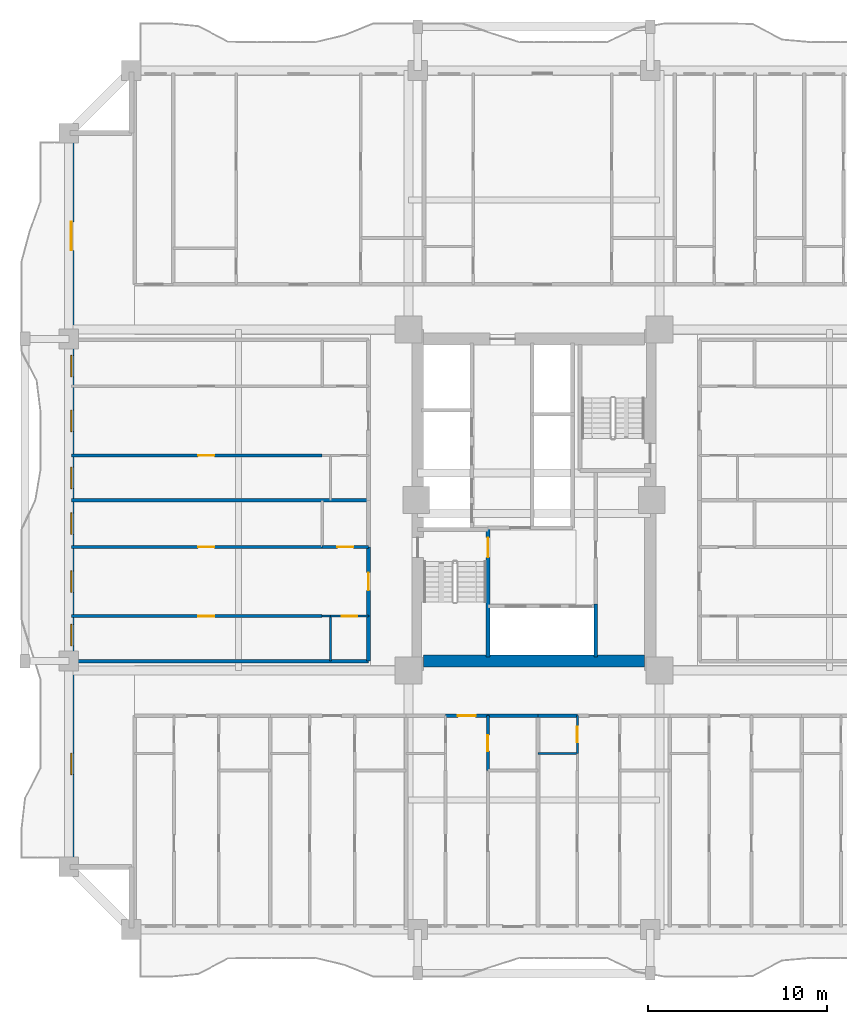
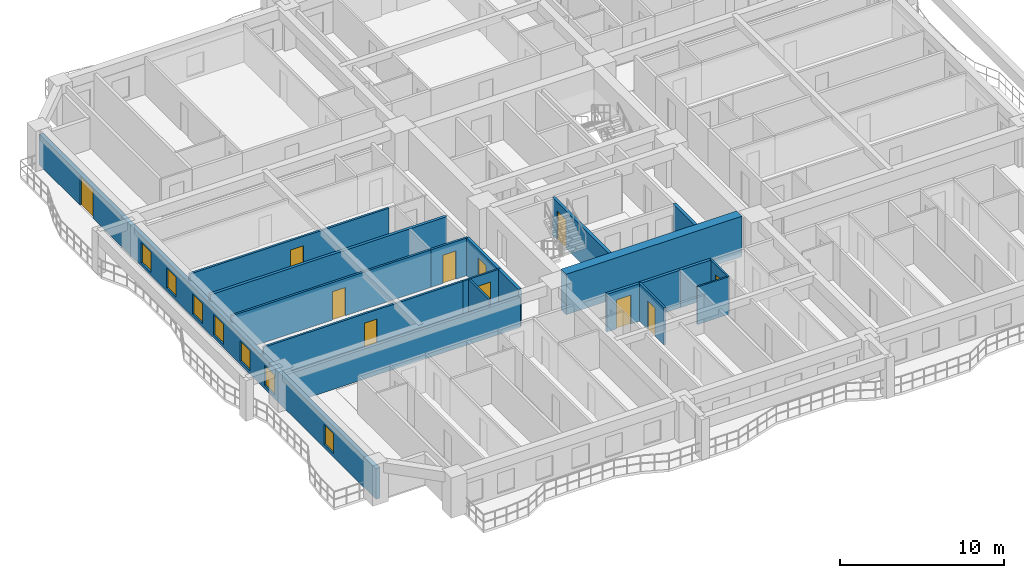
# One storey, part 4 of 17: 21 walls, 11 doors, 7 windows, 18 openings.
"""IFC4 building model written with IfcOpenShell, lengths in metres."""

from ifc_helpers import new_model, si_unit, direction, frame, frame_2d, origin, place, context, subcontext, project, spatial, rectangle, extrude, source, transform, mapped, material, layer, layer_set, type_object, element, fill, save


model = new_model("IFC4")

# Units and contexts
model_context = context("Model", 3, precision=1e-05, world=origin(), true_north=direction((0.0, 1.0)))
body_context = subcontext(model_context, "Body", "Model", "MODEL_VIEW")
ifc_project = project(units=[si_unit("LENGTHUNIT", "METRE"), si_unit("AREAUNIT", "SQUARE_METRE"), si_unit("VOLUMEUNIT", "CUBIC_METRE"), si_unit("PLANEANGLEUNIT", "RADIAN"), si_unit("MASSUNIT", "GRAM", prefix="KILO")], contexts=[model_context])

# Site, building, storey
site_placement = place(None, origin())
site = spatial("IfcSite", under=ifc_project, at=site_placement, CompositionType="ELEMENT")
building_placement = place(site_placement, origin())
building = spatial("IfcBuilding", under=site, at=building_placement, Name="Saelheon Loggia Tower", CompositionType="ELEMENT")
storey_placement = place(building_placement, frame((0.0, 0.0, 22.39990234375)))
storey = spatial("IfcBuildingStorey", under=building, at=storey_placement, Name="L06", CompositionType="ELEMENT", Elevation=22.39990234375)

# Wall
ifc_material_1 = material(Name="Concrete C60/75", Category="concrete")
ifc_layer_1 = layer(ifc_material_1, 0.64990234375)
ifc_layer_set_1 = layer_set([ifc_layer_1], Name="Concrete C60/75")
wall_type_1 = type_object("IfcWallType", Name="Wall_CoreShear_650", PredefinedType="SHEAR", material=ifc_layer_set_1)
wall_1_placement = place(storey_placement, frame((31.824951171875, 18.0, 0.0), z_axis=(0.0, 0.0, 1.0), x_axis=(1.0, 0.0, 0.0)))
element("IfcWall", 1, at=wall_1_placement, inside=storey, type_object=wall_type_1, Name="L06 Core Shear Wall South", PredefinedType="SHEAR", context=body_context, shape_type="SweptSolid", body=[
    extrude(rectangle(XDim=12.35009765625, YDim=0.64990234375, at=frame_2d((6.175048828125, 0.0))), origin(), (0.0, 0.0, 1.0), 3.0),
])

# Wall, openings, windows, door
ifc_material_2 = material(Name="Architectural Precast Concrete C40/50", Category="concrete")
ifc_layer_2 = layer(ifc_material_2, 0.280029296875)
ifc_layer_set_2 = layer_set([ifc_layer_2], Name="Architectural Precast Concrete C40/50")
wall_type_2 = type_object("IfcWallType", Name="Wall_Ext_Loggia_280", PredefinedType="SOLIDWALL", material=ifc_layer_set_2)
wall_2_placement = place(storey_placement, frame((12.139892578125, 6.5, 0.0), z_axis=(0.0, 0.0, 1.0), x_axis=(0.0, 1.0, 0.0)))
wall_2 = element("IfcWall", 2, at=wall_2_placement, inside=storey, type_object=wall_type_2, Name="L06 West Loggia Inner Wall", PredefinedType="SOLIDWALL", context=body_context, shape_type="SweptSolid", body=[
    extrude(rectangle(XDim=41.0, YDim=0.280029296875, at=frame_2d((20.5, 0.0))), origin(), (0.0, 0.0, 1.0), 2.280029296875),
])
opening_1_placement = place(wall_2_placement, frame((5.14990234375, 0.0, 0.25)))
opening_1 = element("IfcOpeningElement", 3, at=opening_1_placement, cuts=wall_2, Name="Opening WN-03", PredefinedType="OPENING", context=body_context, shape_type="SweptSolid", body=[
    extrude(rectangle(XDim=1.199951171875, YDim=1.5, at=frame_2d((0.60009765625, 0.75))), frame((0.0, 0.152099609375, 0.0), z_axis=(0.0, -1.0, 0.0), x_axis=(1.0, 0.0, 0.0)), (0.0, 0.0, 1.0), 0.303955078125),
])
opening_2_placement = place(wall_2_placement, frame((12.3515625, 0.0, 0.25)))
opening_2 = element("IfcOpeningElement", 4, at=opening_2_placement, cuts=wall_2, Name="Opening WN-03", PredefinedType="OPENING", context=body_context, shape_type="SweptSolid", body=[
    extrude(rectangle(XDim=1.199951171875, YDim=1.5, at=frame_2d((0.60009765625, 0.75))), frame((0.0, 0.152099609375, 0.0), z_axis=(0.0, -1.0, 0.0), x_axis=(1.0, 0.0, 0.0)), (0.0, 0.0, 1.0), 0.303955078125),
])
opening_3_placement = place(wall_2_placement, frame((15.343994140625, 0.0, 0.25)))
opening_3 = element("IfcOpeningElement", 5, at=opening_3_placement, cuts=wall_2, Name="Opening WN-03", PredefinedType="OPENING", context=body_context, shape_type="SweptSolid", body=[
    extrude(rectangle(XDim=1.199951171875, YDim=1.5, at=frame_2d((0.60009765625, 0.75))), frame((0.0, 0.152099609375, 0.0), z_axis=(0.0, -1.0, 0.0), x_axis=(1.0, 0.0, 0.0)), (0.0, 0.0, 1.0), 0.303955078125),
])
opening_4_placement = place(wall_2_placement, frame((18.574951171875, 0.0, 0.25)))
opening_4 = element("IfcOpeningElement", 6, at=opening_4_placement, cuts=wall_2, Name="Opening WN-03", PredefinedType="OPENING", context=body_context, shape_type="SweptSolid", body=[
    extrude(rectangle(XDim=1.199951171875, YDim=1.5, at=frame_2d((0.60009765625, 0.75))), frame((0.0, 0.152099609375, 0.0), z_axis=(0.0, -1.0, 0.0), x_axis=(1.0, 0.0, 0.0)), (0.0, 0.0, 1.0), 0.303955078125),
])
opening_5_placement = place(wall_2_placement, frame((21.131591796875, 0.0, 0.25)))
opening_5 = element("IfcOpeningElement", 7, at=opening_5_placement, cuts=wall_2, Name="Opening WN-03", PredefinedType="OPENING", context=body_context, shape_type="SweptSolid", body=[
    extrude(rectangle(XDim=1.199951171875, YDim=1.5, at=frame_2d((0.60009765625, 0.75))), frame((0.0, 0.152099609375, 0.0), z_axis=(0.0, -1.0, 0.0), x_axis=(1.0, 0.0, 0.0)), (0.0, 0.0, 1.0), 0.303955078125),
])
opening_6_placement = place(wall_2_placement, frame((24.319091796875, 0.0, 0.25)))
opening_6 = element("IfcOpeningElement", 8, at=opening_6_placement, cuts=wall_2, Name="Opening WN-03", PredefinedType="OPENING", context=body_context, shape_type="SweptSolid", body=[
    extrude(rectangle(XDim=1.199951171875, YDim=1.5, at=frame_2d((0.60009765625, 0.75))), frame((0.0, 0.152099609375, 0.0), z_axis=(0.0, -1.0, 0.0), x_axis=(1.0, 0.0, 0.0)), (0.0, 0.0, 1.0), 0.303955078125),
])
opening_7_placement = place(wall_2_placement, frame((27.3798828125, 0.0, 0.25)))
opening_7 = element("IfcOpeningElement", 9, at=opening_7_placement, cuts=wall_2, Name="Opening WN-03", PredefinedType="OPENING", context=body_context, shape_type="SweptSolid", body=[
    extrude(rectangle(XDim=1.199951171875, YDim=1.5, at=frame_2d((0.60009765625, 0.75))), frame((0.0, 0.152099609375, 0.0), z_axis=(0.0, -1.0, 0.0), x_axis=(1.0, 0.0, 0.0)), (0.0, 0.0, 1.0), 0.303955078125),
])
opening_8_placement = place(wall_2_placement, frame((34.449951171875, 0.0, 0.0)))
opening_8 = element("IfcOpeningElement", 10, at=opening_8_placement, cuts=wall_2, Name="Opening DLG-1", PredefinedType="OPENING", context=body_context, shape_type="SweptSolid", body=[
    extrude(rectangle(XDim=1.60009765625, YDim=2.14990234375, at=frame_2d((0.800048828125, 1.074951171875))), frame((0.0, 0.152099609375, 0.0), z_axis=(0.0, -1.0, 0.0), x_axis=(1.0, 0.0, 0.0)), (0.0, 0.0, 1.0), 0.303955078125),
])
ifc_material_3 = material(Name="Thermal-Break Aluminium and Triple Low-E Glass", Category="aluminium")
window_type = type_object("IfcWindowType", Name="Win_Bedroom_1200x1500", PartitioningType="SINGLE_PANEL", PredefinedType="WINDOW", material=ifc_material_3)
shared_shape_1 = source(origin(), body_context, "Body", "SweptSolid", [
    extrude(rectangle(XDim=1.199951171875, YDim=1.5, at=frame_2d((0.60009765625, 0.75))), frame((0.0, 0.030029296875, 0.0), z_axis=(0.0, -1.0, 0.0), x_axis=(1.0, 0.0, 0.0)), (0.0, 0.0, 1.0), 0.06005859375),
])
window_1_placement = place(opening_1_placement, origin())
window_1 = element("IfcWindow", 11, at=window_1_placement, inside=storey, type_object=window_type, Name="L06 W Dwelling Window 1", OverallHeight=1.5, OverallWidth=1.199951171875, PartitioningType="SINGLE_PANEL", PredefinedType="WINDOW", context=body_context, shape_type="MappedRepresentation", body=[
    mapped(shared_shape_1, transform((0.0, 0.0, 0.0), scale=1.0)),
])
fill(opening_1, window_1)
window_2_placement = place(opening_2_placement, origin())
window_2 = element("IfcWindow", 12, at=window_2_placement, inside=storey, type_object=window_type, Name="L06 W Dwelling Window 2", OverallHeight=1.5, OverallWidth=1.199951171875, PartitioningType="SINGLE_PANEL", PredefinedType="WINDOW", context=body_context, shape_type="MappedRepresentation", body=[
    mapped(shared_shape_1, transform((0.0, 0.0, 0.0), scale=1.0)),
])
fill(opening_2, window_2)
window_3_placement = place(opening_3_placement, origin())
window_3 = element("IfcWindow", 13, at=window_3_placement, inside=storey, type_object=window_type, Name="L06 W Dwelling Window 3", OverallHeight=1.5, OverallWidth=1.199951171875, PartitioningType="SINGLE_PANEL", PredefinedType="WINDOW", context=body_context, shape_type="MappedRepresentation", body=[
    mapped(shared_shape_1, transform((0.0, 0.0, 0.0), scale=1.0)),
])
fill(opening_3, window_3)
window_4_placement = place(opening_4_placement, origin())
window_4 = element("IfcWindow", 14, at=window_4_placement, inside=storey, type_object=window_type, Name="L06 W Dwelling Window 4", OverallHeight=1.5, OverallWidth=1.199951171875, PartitioningType="SINGLE_PANEL", PredefinedType="WINDOW", context=body_context, shape_type="MappedRepresentation", body=[
    mapped(shared_shape_1, transform((0.0, 0.0, 0.0), scale=1.0)),
])
fill(opening_4, window_4)
window_5_placement = place(opening_5_placement, origin())
window_5 = element("IfcWindow", 15, at=window_5_placement, inside=storey, type_object=window_type, Name="L06 W Dwelling Window 5", OverallHeight=1.5, OverallWidth=1.199951171875, PartitioningType="SINGLE_PANEL", PredefinedType="WINDOW", context=body_context, shape_type="MappedRepresentation", body=[
    mapped(shared_shape_1, transform((0.0, 0.0, 0.0), scale=1.0)),
])
fill(opening_5, window_5)
window_6_placement = place(opening_6_placement, origin())
window_6 = element("IfcWindow", 16, at=window_6_placement, inside=storey, type_object=window_type, Name="L06 W Dwelling Window 6", OverallHeight=1.5, OverallWidth=1.199951171875, PartitioningType="SINGLE_PANEL", PredefinedType="WINDOW", context=body_context, shape_type="MappedRepresentation", body=[
    mapped(shared_shape_1, transform((0.0, 0.0, 0.0), scale=1.0)),
])
fill(opening_6, window_6)
window_7_placement = place(opening_7_placement, origin())
window_7 = element("IfcWindow", 17, at=window_7_placement, inside=storey, type_object=window_type, Name="L06 W Dwelling Window 7", OverallHeight=1.5, OverallWidth=1.199951171875, PartitioningType="SINGLE_PANEL", PredefinedType="WINDOW", context=body_context, shape_type="MappedRepresentation", body=[
    mapped(shared_shape_1, transform((0.0, 0.0, 0.0), scale=1.0)),
])
fill(opening_7, window_7)
ifc_material_4 = material(Name="Thermal-Break Aluminium Sliding Glazed Door", Category="aluminium")
door_type_1 = type_object("IfcDoorType", Name="Door_LoggiaSlide_1600", OperationType="SLIDING_TO_LEFT", PredefinedType="DOOR", material=ifc_material_4)
shared_shape_2 = source(origin(), body_context, "Body", "SweptSolid", [
    extrude(rectangle(XDim=1.60009765625, YDim=2.14990234375, at=frame_2d((0.800048828125, 1.074951171875))), frame((0.0, 0.02490234375, 0.0), z_axis=(0.0, -1.0, 0.0), x_axis=(1.0, 0.0, 0.0)), (0.0, 0.0, 1.0), 0.050048828125),
])
door_1_placement = place(opening_8_placement, origin())
door_1 = element("IfcDoor", 18, at=door_1_placement, inside=storey, type_object=door_type_1, Name="L06 W Loggia Access Door", OperationType="SLIDING_TO_LEFT", OverallHeight=2.14990234375, OverallWidth=1.60009765625, PredefinedType="DOOR", context=body_context, shape_type="MappedRepresentation", body=[
    mapped(shared_shape_2, transform((0.0, 0.0, 0.0), scale=1.0)),
])
fill(opening_8, door_1)

# Wall, opening, door
ifc_material_5 = material(Name="Lightweight Autoclaved Aerated Concrete Block and Acoustic Gypsum", Category="concrete")
ifc_layer_3 = layer(ifc_material_5, 0.14990234375)
ifc_layer_set_3 = layer_set([ifc_layer_3], Name="Lightweight Autoclaved Aerated Concrete Block and Acoustic Gypsum")
wall_type_3 = type_object("IfcWallType", Name="Wall_Part_150", PredefinedType="PARTITIONING", material=ifc_layer_set_3)
wall_3_placement = place(storey_placement, frame((35.42431640625, 14.949951171875, 0.0), z_axis=(0.0, 0.0, 1.0), x_axis=(0.0, -1.0, 0.0)))
wall_3 = element("IfcWall", 19, at=wall_3_placement, inside=storey, type_object=wall_type_3, Name="L06 S Partition U33", PredefinedType="PARTITIONING", context=body_context, shape_type="SweptSolid", body=[
    extrude(rectangle(XDim=3.070068359375, YDim=0.14990234375, at=frame_2d((1.53515625, 0.0))), origin(), (0.0, 0.0, 1.0), 2.7900390625),
])
opening_9_placement = place(wall_3_placement, frame((1.0849609375, 0.0, 0.0)))
opening_9 = element("IfcOpeningElement", 20, at=opening_9_placement, cuts=wall_3, Name="Opening D-IN2", PredefinedType="OPENING", context=body_context, shape_type="SweptSolid", body=[
    extrude(rectangle(XDim=0.89990234375, YDim=2.10009765625, at=frame_2d((0.449951171875, 1.050048828125))), frame((0.0, 0.0869140625, 0.0), z_axis=(0.0, -1.0, 0.0), x_axis=(1.0, 0.0, 0.0)), (0.0, 0.0, 1.0), 0.173828125),
])
ifc_material_6 = material(Name="Engineered Oak Flush Door", Category="timber")
door_type_2 = type_object("IfcDoorType", Name="Door_Int_900", OperationType="NOTDEFINED", PredefinedType="DOOR", material=ifc_material_6)
shared_shape_3 = source(origin(), body_context, "Body", "SweptSolid", [
    extrude(rectangle(XDim=0.89990234375, YDim=2.10009765625, at=frame_2d((0.449951171875, 1.050048828125))), frame((0.0, 0.02490234375, 0.0), z_axis=(0.0, -1.0, 0.0), x_axis=(1.0, 0.0, 0.0)), (0.0, 0.0, 1.0), 0.050048828125),
])
door_2_placement = place(opening_9_placement, origin())
door_2 = element("IfcDoor", 21, at=door_2_placement, inside=storey, type_object=door_type_2, Name="Unit U03 Dressing Closet Door", OperationType="SINGLE_SWING_RIGHT", OverallHeight=2.10009765625, OverallWidth=0.89990234375, PredefinedType="DOOR", context=body_context, shape_type="MappedRepresentation", body=[
    mapped(shared_shape_3, transform((0.0, 0.0, 0.0), scale=1.0)),
])
fill(opening_9, door_2)

wall_4_placement = place(storey_placement, frame((26.159912109375, 20.512939453125, 0.0), z_axis=(0.0, 0.0, 1.0), x_axis=(-1.0, 0.0, 0.0)))
wall_4 = element("IfcWall", 22, at=wall_4_placement, inside=storey, type_object=wall_type_3, Name="L06 W Partition U10", PredefinedType="PARTITIONING", context=body_context, shape_type="SweptSolid", body=[
    extrude(rectangle(XDim=14.010009765625, YDim=0.14990234375, at=frame_2d((7.0048828125, 0.0))), origin(), (0.0, 0.0, 1.0), 2.7900390625),
])
opening_10_placement = place(wall_4_placement, frame((6.02880859375, 0.0, 0.0)))
opening_10 = element("IfcOpeningElement", 23, at=opening_10_placement, cuts=wall_4, Name="Opening D-IN2", PredefinedType="OPENING", context=body_context, shape_type="SweptSolid", body=[
    extrude(rectangle(XDim=0.89990234375, YDim=2.10009765625, at=frame_2d((0.449951171875, 1.050048828125))), frame((0.0, 0.0869140625, 0.0), z_axis=(0.0, -1.0, 0.0), x_axis=(1.0, 0.0, 0.0)), (0.0, 0.0, 1.0), 0.173828125),
])
door_3_placement = place(opening_10_placement, origin())
door_3 = element("IfcDoor", 24, at=door_3_placement, inside=storey, type_object=door_type_2, Name="Unit U11 Kitchen Door", OperationType="SINGLE_SWING_RIGHT", OverallHeight=2.10009765625, OverallWidth=0.89990234375, PredefinedType="DOOR", context=body_context, shape_type="MappedRepresentation", body=[
    mapped(shared_shape_3, transform((0.0, 0.0, 0.0), scale=1.0)),
])
fill(opening_10, door_3)

wall_5_placement = place(storey_placement, frame((28.75, 24.375, 0.0), z_axis=(0.0, 0.0, 1.0), x_axis=(-1.0, 0.0, 0.0)))
wall_5 = element("IfcWall", 25, at=wall_5_placement, inside=storey, type_object=wall_type_3, Name="L06 W Partition U11", PredefinedType="PARTITIONING", context=body_context, shape_type="SweptSolid", body=[
    extrude(rectangle(XDim=2.590087890625, YDim=0.14990234375, at=frame_2d((1.294921875, 0.0))), origin(), (0.0, 0.0, 1.0), 2.7900390625),
])
opening_11_placement = place(wall_5_placement, frame((0.844970703125, 0.0, 0.0)))
opening_11 = element("IfcOpeningElement", 26, at=opening_11_placement, cuts=wall_5, Name="Opening D-IN2", PredefinedType="OPENING", context=body_context, shape_type="SweptSolid", body=[
    extrude(rectangle(XDim=0.89990234375, YDim=2.10009765625, at=frame_2d((0.449951171875, 1.050048828125))), frame((0.0, 0.0869140625, 0.0), z_axis=(0.0, -1.0, 0.0), x_axis=(1.0, 0.0, 0.0)), (0.0, 0.0, 1.0), 0.173828125),
])
door_4_placement = place(opening_11_placement, origin())
door_4 = element("IfcDoor", 27, at=door_4_placement, inside=storey, type_object=door_type_2, Name="Unit U11 Dressing Closet Door", OperationType="SINGLE_SWING_LEFT", OverallHeight=2.10009765625, OverallWidth=0.89990234375, PredefinedType="DOOR", context=body_context, shape_type="MappedRepresentation", body=[
    mapped(shared_shape_3, transform((0.0, 0.0, 0.0), scale=1.0)),
])
fill(opening_11, door_4)

wall_6_placement = place(storey_placement, frame((26.159912109375, 24.375, 0.0), z_axis=(0.0, 0.0, 1.0), x_axis=(-1.0, 0.0, 0.0)))
wall_6 = element("IfcWall", 28, at=wall_6_placement, inside=storey, type_object=wall_type_3, Name="L06 W Partition U12", PredefinedType="PARTITIONING", context=body_context, shape_type="SweptSolid", body=[
    extrude(rectangle(XDim=14.010009765625, YDim=0.14990234375, at=frame_2d((7.0048828125, 0.0))), origin(), (0.0, 0.0, 1.0), 2.7900390625),
])
opening_12_placement = place(wall_6_placement, frame((6.02880859375, 0.0, 0.0)))
opening_12 = element("IfcOpeningElement", 29, at=opening_12_placement, cuts=wall_6, Name="Opening D-IN2", PredefinedType="OPENING", context=body_context, shape_type="SweptSolid", body=[
    extrude(rectangle(XDim=0.89990234375, YDim=2.10009765625, at=frame_2d((0.449951171875, 1.050048828125))), frame((0.0, 0.0869140625, 0.0), z_axis=(0.0, -1.0, 0.0), x_axis=(1.0, 0.0, 0.0)), (0.0, 0.0, 1.0), 0.173828125),
])
door_5_placement = place(opening_12_placement, origin())
door_5 = element("IfcDoor", 30, at=door_5_placement, inside=storey, type_object=door_type_2, Name="Unit U11 Bedroom 1 Door", OperationType="SINGLE_SWING_RIGHT", OverallHeight=2.10009765625, OverallWidth=0.89990234375, PredefinedType="DOOR", context=body_context, shape_type="MappedRepresentation", body=[
    mapped(shared_shape_3, transform((0.0, 0.0, 0.0), scale=1.0)),
])
fill(opening_12, door_5)

wall_7_placement = place(storey_placement, frame((26.159912109375, 29.488037109375, 0.0), z_axis=(0.0, 0.0, 1.0), x_axis=(-1.0, 0.0, 0.0)))
wall_7 = element("IfcWall", 31, at=wall_7_placement, inside=storey, type_object=wall_type_3, Name="L06 W Partition U21", PredefinedType="PARTITIONING", context=body_context, shape_type="SweptSolid", body=[
    extrude(rectangle(XDim=14.010009765625, YDim=0.14990234375, at=frame_2d((7.0048828125, 0.0))), origin(), (0.0, 0.0, 1.0), 2.7900390625),
])
opening_13_placement = place(wall_7_placement, frame((6.02880859375, 0.0, 0.0)))
opening_13 = element("IfcOpeningElement", 32, at=opening_13_placement, cuts=wall_7, Name="Opening D-IN2", PredefinedType="OPENING", context=body_context, shape_type="SweptSolid", body=[
    extrude(rectangle(XDim=0.89990234375, YDim=2.10009765625, at=frame_2d((0.449951171875, 1.050048828125))), frame((0.0, 0.0869140625, 0.0), z_axis=(0.0, -1.0, 0.0), x_axis=(1.0, 0.0, 0.0)), (0.0, 0.0, 1.0), 0.173828125),
])
door_6_placement = place(opening_13_placement, origin())
door_6 = element("IfcDoor", 33, at=door_6_placement, inside=storey, type_object=door_type_2, Name="Unit U12 Kitchen Door", OperationType="SINGLE_SWING_LEFT", OverallHeight=2.10009765625, OverallWidth=0.89990234375, PredefinedType="DOOR", context=body_context, shape_type="MappedRepresentation", body=[
    mapped(shared_shape_3, transform((0.0, 0.0, 0.0), scale=1.0)),
])
fill(opening_13, door_6)

ifc_material_7 = material(Name="Double Acoustic Stud and Fireboard Partition", Category="gypsum")
ifc_layer_4 = layer(ifc_material_7, 0.199951171875)
ifc_layer_set_4 = layer_set([ifc_layer_4], Name="Double Acoustic Stud and Fireboard Partition")
wall_type_4 = type_object("IfcWallType", Name="Wall_Party_200", PredefinedType="PARTITIONING", material=ifc_layer_set_4)
wall_8_placement = place(storey_placement, frame((33.0576171875, 14.949951171875, 0.0), z_axis=(0.0, 0.0, 1.0), x_axis=(1.0, 0.0, 0.0)))
wall_8 = element("IfcWall", 34, at=wall_8_placement, inside=storey, type_object=wall_type_4, Name="L06 S Partition V26", PredefinedType="PARTITIONING", context=body_context, shape_type="SweptSolid", body=[
    extrude(rectangle(XDim=2.36669921875, YDim=0.199951171875, at=frame_2d((1.183349609375, 0.0))), origin(), (0.0, 0.0, 1.0), 2.7900390625),
])
opening_14_placement = place(wall_8_placement, frame((0.683349609375, 0.0, 0.0)))
opening_14 = element("IfcOpeningElement", 35, at=opening_14_placement, cuts=wall_8, Name="Opening D-FD1", PredefinedType="OPENING", context=body_context, shape_type="SweptSolid", body=[
    extrude(rectangle(XDim=1.0, YDim=2.14990234375, at=frame_2d((0.5, 1.074951171875))), frame((0.0, 0.112060546875, 0.0), z_axis=(0.0, -1.0, 0.0), x_axis=(1.0, 0.0, 0.0)), (0.0, 0.0, 1.0), 0.223876953125),
])
ifc_material_8 = material(Name="Fire-Rated Engineered Timber Entrance Door", Category="wood")
door_type_3 = type_object("IfcDoorType", Name="Door_Flat_FD30S", OperationType="NOTDEFINED", PredefinedType="DOOR", material=ifc_material_8)
shared_shape_4 = source(origin(), body_context, "Body", "SweptSolid", [
    extrude(rectangle(XDim=1.0, YDim=2.14990234375, at=frame_2d((0.5, 1.074951171875))), frame((0.0, 0.02490234375, 0.0), z_axis=(0.0, -1.0, 0.0), x_axis=(1.0, 0.0, 0.0)), (0.0, 0.0, 1.0), 0.050048828125),
])
door_7_placement = place(opening_14_placement, origin())
door_7 = element("IfcDoor", 36, at=door_7_placement, inside=storey, type_object=door_type_3, Name="Unit U03 Entrance Door", OperationType="SINGLE_SWING_LEFT", OverallHeight=2.14990234375, OverallWidth=1.0, PredefinedType="DOOR", context=body_context, shape_type="MappedRepresentation", body=[
    mapped(shared_shape_4, transform((0.0, 0.0, 0.0), scale=1.0)),
])
fill(opening_14, door_7)

# Walls
wall_9_placement = place(storey_placement, frame((35.42431640625, 14.949951171875, 0.0), z_axis=(0.0, 0.0, 1.0), x_axis=(1.0, 0.0, 0.0)))
element("IfcWall", 37, at=wall_9_placement, inside=storey, type_object=wall_type_4, Name="L06 S Partition V27", PredefinedType="PARTITIONING", context=body_context, shape_type="SweptSolid", body=[
    extrude(rectangle(XDim=2.798828125, YDim=0.199951171875, at=frame_2d((1.3994140625, 0.0))), origin(), (0.0, 0.0, 1.0), 2.7900390625),
])
wall_10_placement = place(storey_placement, frame((38.22314453125, 14.949951171875, 0.0), z_axis=(0.0, 0.0, 1.0), x_axis=(1.0, 0.0, 0.0)))
element("IfcWall", 38, at=wall_10_placement, inside=storey, type_object=wall_type_4, Name="L06 S Partition V36", PredefinedType="PARTITIONING", context=body_context, shape_type="SweptSolid", body=[
    extrude(rectangle(XDim=2.199951171875, YDim=0.199951171875, at=frame_2d((1.10009765625, 0.0))), origin(), (0.0, 0.0, 1.0), 2.7900390625),
])
wall_11_placement = place(storey_placement, frame((28.75, 18.0, 0.0), z_axis=(0.0, 0.0, 1.0), x_axis=(-1.0, 0.0, 0.0)))
element("IfcWall", 39, at=wall_11_placement, inside=storey, type_object=wall_type_4, Name="L06 W Partition U01", PredefinedType="PARTITIONING", context=body_context, shape_type="SweptSolid", body=[
    extrude(rectangle(XDim=16.60009765625, YDim=0.199951171875, at=frame_2d((8.300048828125, 0.0))), origin(), (0.0, 0.0, 1.0), 2.239990234375),
])
wall_12_placement = place(storey_placement, frame((28.75, 18.0, 0.0), z_axis=(0.0, 0.0, 1.0), x_axis=(0.0, 1.0, 0.0)))
element("IfcWall", 40, at=wall_12_placement, inside=storey, type_object=wall_type_4, Name="L06 W Partition V03", PredefinedType="PARTITIONING", context=body_context, shape_type="SweptSolid", body=[
    extrude(rectangle(XDim=2.512939453125, YDim=0.199951171875, at=frame_2d((1.25634765625, 0.0))), origin(), (0.0, 0.0, 1.0), 2.7900390625),
])

# Wall, opening, door
wall_13_placement = place(storey_placement, frame((28.75, 20.512939453125, 0.0), z_axis=(0.0, 0.0, 1.0), x_axis=(0.0, 1.0, 0.0)))
wall_13 = element("IfcWall", 41, at=wall_13_placement, inside=storey, type_object=wall_type_4, Name="L06 W Partition V04", PredefinedType="PARTITIONING", context=body_context, shape_type="SweptSolid", body=[
    extrude(rectangle(XDim=3.862060546875, YDim=0.199951171875, at=frame_2d((1.93115234375, 0.0))), origin(), (0.0, 0.0, 1.0), 2.7900390625),
])
opening_15_placement = place(wall_13_placement, frame((1.430908203125, 0.0, 0.0)))
opening_15 = element("IfcOpeningElement", 42, at=opening_15_placement, cuts=wall_13, Name="Opening D-FD1", PredefinedType="OPENING", context=body_context, shape_type="SweptSolid", body=[
    extrude(rectangle(XDim=1.0, YDim=2.14990234375, at=frame_2d((0.5, 1.074951171875))), frame((0.0, 0.112060546875, 0.0), z_axis=(0.0, -1.0, 0.0), x_axis=(1.0, 0.0, 0.0)), (0.0, 0.0, 1.0), 0.223876953125),
])
door_8_placement = place(opening_15_placement, origin())
door_8 = element("IfcDoor", 43, at=door_8_placement, inside=storey, type_object=door_type_3, Name="Unit U11 Entrance Door", OperationType="SINGLE_SWING_RIGHT", OverallHeight=2.14990234375, OverallWidth=1.0, PredefinedType="DOOR", context=body_context, shape_type="MappedRepresentation", body=[
    mapped(shared_shape_4, transform((0.0, 0.0, 0.0), scale=1.0)),
])
fill(opening_15, door_8)

# Walls
wall_14_placement = place(storey_placement, frame((28.75, 26.97509765625, 0.0), z_axis=(0.0, 0.0, 1.0), x_axis=(-1.0, 0.0, 0.0)))
element("IfcWall", 44, at=wall_14_placement, inside=storey, type_object=wall_type_4, Name="L06 W Partition U13", PredefinedType="PARTITIONING", context=body_context, shape_type="SweptSolid", body=[
    extrude(rectangle(XDim=16.60009765625, YDim=0.199951171875, at=frame_2d((8.300048828125, 0.0))), origin(), (0.0, 0.0, 1.0), 2.7900390625),
])
ifc_material_9 = material(Name="Concrete C40/50", Category="concrete")
ifc_layer_5 = layer(ifc_material_9, 0.199951171875)
ifc_layer_set_5 = layer_set([ifc_layer_5], Name="Concrete C40/50")
wall_type_5 = type_object("IfcWallType", Name="Wall_Shaft_200", PredefinedType="PARTITIONING", material=ifc_layer_set_5)
wall_15_placement = place(storey_placement, frame((41.449951171875, 18.219970703125, 0.0), z_axis=(0.0, 0.0, 1.0), x_axis=(0.0, 1.0, 0.0)))
element("IfcWall", 45, at=wall_15_placement, inside=storey, type_object=wall_type_5, Name="CW-INT-L06-BOH-W0", PredefinedType="PARTITIONING", context=body_context, shape_type="SweptSolid", body=[
    extrude(rectangle(XDim=2.9599609375, YDim=0.199951171875, at=frame_2d((1.47998046875, 0.0))), origin(), (0.0, 0.0, 1.0), 2.7900390625),
])

# Wall, opening, door
ifc_material_10 = material(Name="Concrete C45/55", Category="concrete")
ifc_layer_6 = layer(ifc_material_10, 0.199951171875)
ifc_layer_set_6 = layer_set([ifc_layer_6], Name="Concrete C45/55")
wall_type_6 = type_object("IfcWallType", Name="Wall_StairShaft_RC200", PredefinedType="SOLIDWALL", material=ifc_layer_set_6)
wall_16_placement = place(storey_placement, frame((35.429931640625, 18.219970703125, 0.0), z_axis=(0.0, 0.0, 1.0), x_axis=(0.0, 1.0, 0.0)))
wall_16 = element("IfcWall", 46, at=wall_16_placement, inside=storey, type_object=wall_type_6, Name="L06 Stair ST1 Shaft Wall", PredefinedType="SOLIDWALL", context=body_context, shape_type="SweptSolid", body=[
    extrude(rectangle(XDim=7.219970703125, YDim=0.199951171875, at=frame_2d((3.60986328125, 0.0))), origin(), (0.0, 0.0, 1.0), 2.7900390625),
])
opening_16_placement = place(wall_16_placement, frame((6.68017578125, 0.0, 0.0), z_axis=(0.0, 0.0, 1.0), x_axis=(-1.0, 0.0, 0.0)))
opening_16 = element("IfcOpeningElement", 47, at=opening_16_placement, cuts=wall_16, Name="Opening D-FD2", PredefinedType="OPENING", context=body_context, shape_type="SweptSolid", body=[
    extrude(rectangle(XDim=1.10009765625, YDim=2.14990234375, at=frame_2d((0.550048828125, 1.074951171875))), frame((0.0, 0.112060546875, 0.0), z_axis=(0.0, -1.0, 0.0), x_axis=(1.0, 0.0, 0.0)), (0.0, 0.0, 1.0), 0.223876953125),
])
ifc_material_11 = material(Name="Galvanised Steel Fire Door", Category="steel")
door_type_4 = type_object("IfcDoorType", Name="Door_Fire_FD60_1100", OperationType="NOTDEFINED", PredefinedType="DOOR", material=ifc_material_11)
shared_shape_5 = source(origin(), body_context, "Body", "SweptSolid", [
    extrude(rectangle(XDim=1.10009765625, YDim=2.14990234375, at=frame_2d((0.550048828125, 1.074951171875))), frame((0.0, 0.02490234375, 0.0), z_axis=(0.0, -1.0, 0.0), x_axis=(1.0, 0.0, 0.0)), (0.0, 0.0, 1.0), 0.050048828125),
])
door_9_placement = place(opening_16_placement, origin())
door_9 = element("IfcDoor", 48, at=door_9_placement, inside=storey, type_object=door_type_4, Name="L06 Stair ST1 Lobby Door", OperationType="SINGLE_SWING_RIGHT", OverallHeight=2.14990234375, OverallWidth=1.10009765625, PredefinedType="DOOR", context=body_context, shape_type="MappedRepresentation", body=[
    mapped(shared_shape_5, transform((0.0, 0.0, 0.0), scale=1.0)),
])
fill(opening_16, door_9)

# Wall
ifc_material_12 = material(Name="Moisture-Resistant Cement Board Partition", Category="gypsum")
ifc_layer_7 = layer(ifc_material_12, 0.1201171875)
ifc_layer_set_7 = layer_set([ifc_layer_7], Name="Moisture-Resistant Cement Board Partition")
wall_type_7 = type_object("IfcWallType", Name="Wall_WetPart_120", PredefinedType="PARTITIONING", material=ifc_layer_set_7)
wall_17_placement = place(storey_placement, frame((38.22314453125, 12.830078125, 0.0), z_axis=(0.0, 0.0, 1.0), x_axis=(1.0, 0.0, 0.0)))
element("IfcWall", 49, at=wall_17_placement, inside=storey, type_object=wall_type_7, Name="L06 S Partition V39", PredefinedType="PARTITIONING", context=body_context, shape_type="SweptSolid", body=[
    extrude(rectangle(XDim=2.199951171875, YDim=0.1201171875, at=frame_2d((1.10009765625, 0.0))), origin(), (0.0, 0.0, 1.0), 2.7900390625),
])

# Wall, opening, door
wall_18_placement = place(storey_placement, frame((40.423095703125, 14.949951171875, 0.0), z_axis=(0.0, 0.0, 1.0), x_axis=(0.0, -1.0, 0.0)))
wall_18 = element("IfcWall", 50, at=wall_18_placement, inside=storey, type_object=wall_type_7, Name="L06 S Partition U41", PredefinedType="PARTITIONING", context=body_context, shape_type="SweptSolid", body=[
    extrude(rectangle(XDim=2.119873046875, YDim=0.1201171875, at=frame_2d((1.06005859375, 0.0))), origin(), (0.0, 0.0, 1.0), 2.7900390625),
])
opening_17_placement = place(wall_18_placement, frame((0.635009765625, 0.0, 0.0)))
opening_17 = element("IfcOpeningElement", 51, at=opening_17_placement, cuts=wall_18, Name="Opening D-BT1", PredefinedType="OPENING", context=body_context, shape_type="SweptSolid", body=[
    extrude(rectangle(XDim=0.85009765625, YDim=2.050048828125, at=frame_2d((0.425048828125, 1.02490234375))), frame((0.0, 0.072021484375, 0.0), z_axis=(0.0, -1.0, 0.0), x_axis=(1.0, 0.0, 0.0)), (0.0, 0.0, 1.0), 0.14404296875),
])
ifc_material_13 = material(Name="Moisture-Resistant Laminate Timber Door", Category="wood")
door_type_5 = type_object("IfcDoorType", Name="Door_Bath_850", OperationType="NOTDEFINED", PredefinedType="DOOR", material=ifc_material_13)
shared_shape_6 = source(origin(), body_context, "Body", "SweptSolid", [
    extrude(rectangle(XDim=0.85009765625, YDim=2.050048828125, at=frame_2d((0.425048828125, 1.02490234375))), frame((0.0, 0.02490234375, 0.0), z_axis=(0.0, -1.0, 0.0), x_axis=(1.0, 0.0, 0.0)), (0.0, 0.0, 1.0), 0.050048828125),
])
door_10_placement = place(opening_17_placement, origin())
door_10 = element("IfcDoor", 52, at=door_10_placement, inside=storey, type_object=door_type_5, Name="Unit U04 Bathroom Door", OperationType="SINGLE_SWING_LEFT", OverallHeight=2.050048828125, OverallWidth=0.85009765625, PredefinedType="DOOR", context=body_context, shape_type="MappedRepresentation", body=[
    mapped(shared_shape_6, transform((0.0, 0.0, 0.0), scale=1.0)),
])
fill(opening_17, door_10)

# Wall
wall_19_placement = place(storey_placement, frame((26.6298828125, 18.0, 0.0), z_axis=(0.0, 0.0, 1.0), x_axis=(0.0, 1.0, 0.0)))
element("IfcWall", 53, at=wall_19_placement, inside=storey, type_object=wall_type_7, Name="L06 W Partition V06", PredefinedType="PARTITIONING", context=body_context, shape_type="SweptSolid", body=[
    extrude(rectangle(XDim=2.512939453125, YDim=0.1201171875, at=frame_2d((1.25634765625, 0.0))), origin(), (0.0, 0.0, 1.0), 2.7900390625),
])

# Wall, opening, door
wall_20_placement = place(storey_placement, frame((28.75, 20.512939453125, 0.0), z_axis=(0.0, 0.0, 1.0), x_axis=(-1.0, 0.0, 0.0)))
wall_20 = element("IfcWall", 54, at=wall_20_placement, inside=storey, type_object=wall_type_7, Name="L06 W Partition U08", PredefinedType="PARTITIONING", context=body_context, shape_type="SweptSolid", body=[
    extrude(rectangle(XDim=2.1201171875, YDim=0.1201171875, at=frame_2d((1.06005859375, 0.0))), origin(), (0.0, 0.0, 1.0), 2.7900390625),
])
opening_18_placement = place(wall_20_placement, frame((0.635009765625, 0.0, 0.0)))
opening_18 = element("IfcOpeningElement", 55, at=opening_18_placement, cuts=wall_20, Name="Opening D-BT1", PredefinedType="OPENING", context=body_context, shape_type="SweptSolid", body=[
    extrude(rectangle(XDim=0.85009765625, YDim=2.050048828125, at=frame_2d((0.425048828125, 1.02490234375))), frame((0.0, 0.072021484375, 0.0), z_axis=(0.0, -1.0, 0.0), x_axis=(1.0, 0.0, 0.0)), (0.0, 0.0, 1.0), 0.14404296875),
])
door_11_placement = place(opening_18_placement, origin())
door_11 = element("IfcDoor", 56, at=door_11_placement, inside=storey, type_object=door_type_5, Name="Unit U11 Bathroom Door", OperationType="SINGLE_SWING_LEFT", OverallHeight=2.050048828125, OverallWidth=0.85009765625, PredefinedType="DOOR", context=body_context, shape_type="MappedRepresentation", body=[
    mapped(shared_shape_6, transform((0.0, 0.0, 0.0), scale=1.0)),
])
fill(opening_18, door_11)

# Wall
wall_21_placement = place(storey_placement, frame((26.6298828125, 20.512939453125, 0.0), z_axis=(0.0, 0.0, 1.0), x_axis=(-1.0, 0.0, 0.0)))
element("IfcWall", 57, at=wall_21_placement, inside=storey, type_object=wall_type_7, Name="L06 W Partition U09", PredefinedType="PARTITIONING", context=body_context, shape_type="SweptSolid", body=[
    extrude(rectangle(XDim=0.469970703125, YDim=0.1201171875, at=frame_2d((0.23486328125, 0.0))), origin(), (0.0, 0.0, 1.0), 2.7900390625),
])

save(model, "model.ifc")
